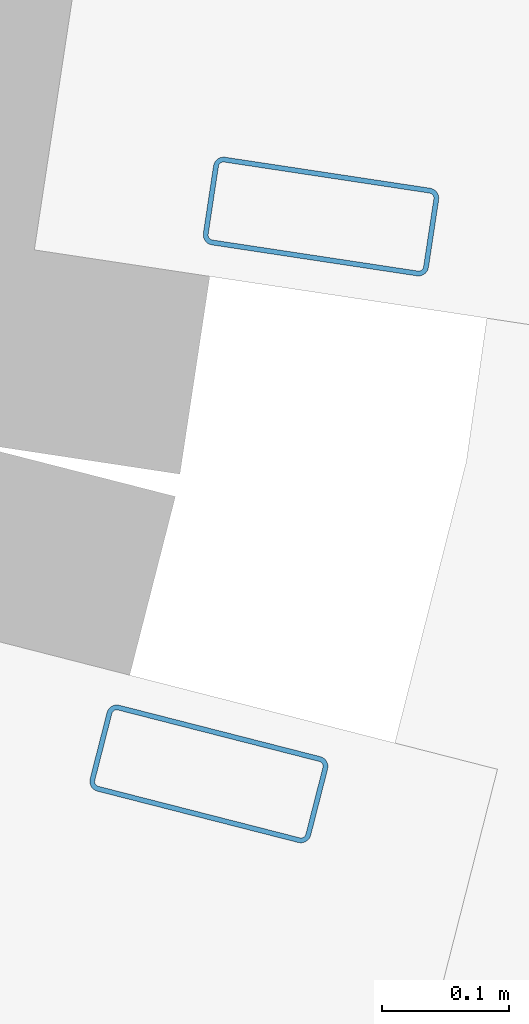
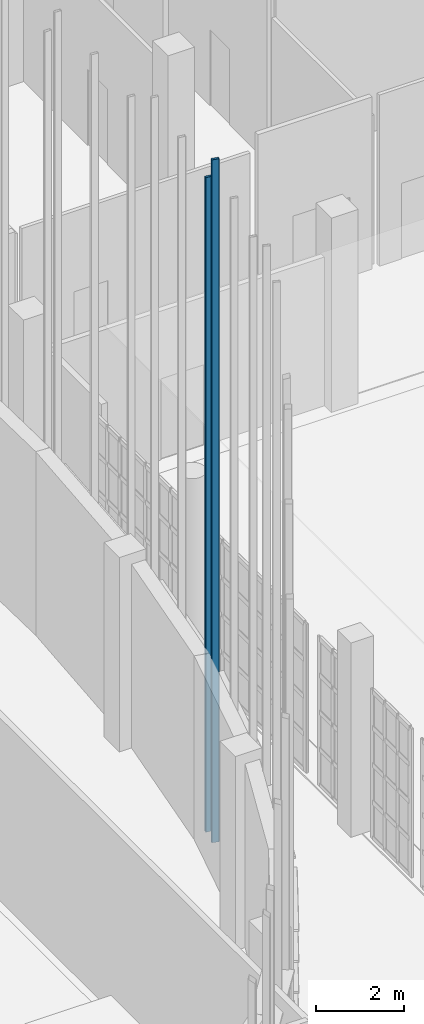
# One storey, part 216 of 372: 2 members.
"""IFC4 building model written with IfcOpenShell, lengths in metres."""

from ifc_helpers import new_model, si_unit, direction, frame, origin, origin_2d, place, context, subcontext, project, spatial, hollow_rectangle, extrude, material, material_profile, profile_set, type_object, element, save


model = new_model("IFC4")

# Units and contexts
model_context = context("Model", 3, precision=1e-05, world=origin(), true_north=direction((0.0, 1.0)))
body_context = subcontext(model_context, "Body", "Model", "MODEL_VIEW")
ifc_project = project(units=[si_unit("LENGTHUNIT", "METRE"), si_unit("AREAUNIT", "SQUARE_METRE"), si_unit("VOLUMEUNIT", "CUBIC_METRE"), si_unit("PLANEANGLEUNIT", "RADIAN"), si_unit("MASSUNIT", "GRAM", prefix="KILO")], contexts=[model_context])

# Site, building, storey
site_placement = place(None, origin())
site = spatial("IfcSite", under=ifc_project, at=site_placement, CompositionType="ELEMENT")
building_placement = place(site_placement, origin())
building = spatial("IfcBuilding", under=site, at=building_placement, Name="Kaelora Sail Theatre", CompositionType="ELEMENT")
storey_placement = place(building_placement, origin())
storey = spatial("IfcBuildingStorey", under=building, at=storey_placement, Name="L00", CompositionType="ELEMENT", Elevation=0.0)

# Members
ifc_material = material(Name="Anodised aluminium 6063-T6", Category="aluminium")
ifc_material_profile = material_profile(ifc_material, hollow_rectangle(XDim=0.070068359375, YDim=0.179931640625, WallThickness=0.00390625, InnerFilletRadius=0.00390625, OuterFilletRadius=0.008056640625, at=origin_2d()), Name="ALU-MULL 70x180x4")
ifc_profile_set = profile_set([ifc_material_profile], Name="Anodised aluminium 6063-T6")
member_type = type_object("IfcMemberType", Name="ARC-MEM-PST-160", PredefinedType="POST", material=ifc_profile_set)
member_1_placement = place(storey_placement, frame((103.832763671875, 47.68603515625, 0.0), z_axis=(0.0, 0.0, 1.0), x_axis=(-0.149362770624, -0.988782464828, 0.0)))
element("IfcMember", 1, at=member_1_placement, inside=storey, type_object=member_type, Name="Studio Theatre Sail Drum solar louvre vertical support post C3-3", PredefinedType="POST", context=body_context, shape_type="SweptSolid", body=[
    extrude(hollow_rectangle(XDim=0.070068359375, YDim=0.179931640625, WallThickness=0.00390625, InnerFilletRadius=0.00390625, OuterFilletRadius=0.008056640625, at=origin_2d()), origin(), (0.0, 0.0, 1.0), 18.1962890625),
])
member_2_placement = place(storey_placement, frame((103.744140625, 47.24560546875, 0.0), z_axis=(0.0, 0.0, 1.0), x_axis=(-0.247675453076, -0.968843057437, 0.0)))
element("IfcMember", 2, at=member_2_placement, inside=storey, type_object=member_type, Name="Studio Theatre Sail Drum solar louvre vertical support post C4-1", PredefinedType="POST", context=body_context, shape_type="SweptSolid", body=[
    extrude(hollow_rectangle(XDim=0.070068359375, YDim=0.179931640625, WallThickness=0.00390625, InnerFilletRadius=0.00390625, OuterFilletRadius=0.008056640625, at=origin_2d()), origin(), (0.0, 0.0, 1.0), 18.98193359375),
])

save(model, "model.ifc")
